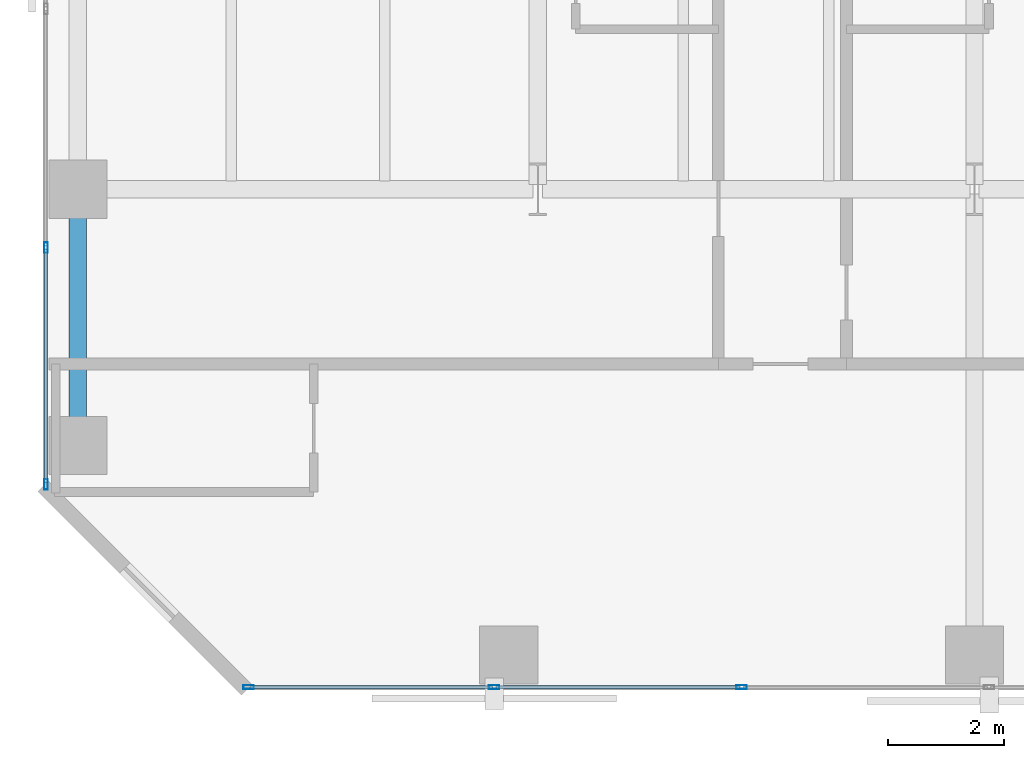
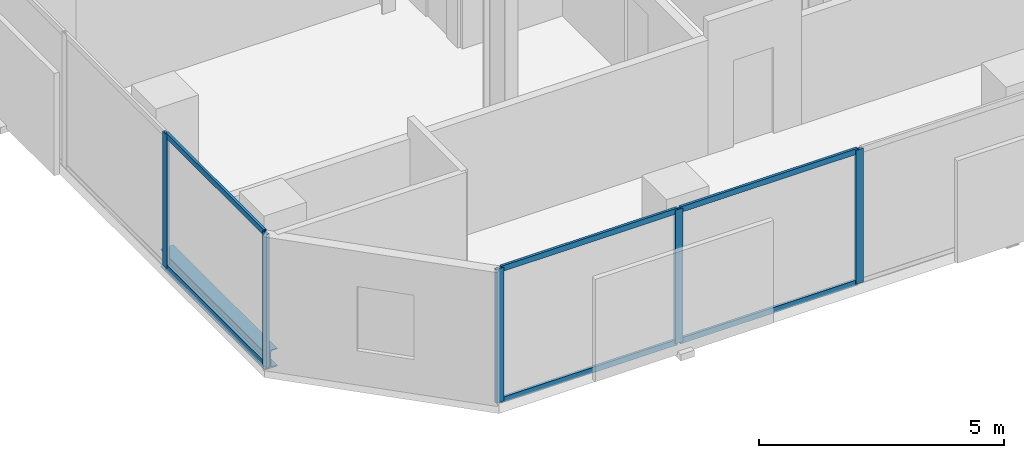
# One storey, part 2 of 32: 11 members, 1 beam, 2 elements without a shape of their own.
"""IFC4 building model written with IfcOpenShell, lengths in metres."""

from ifc_helpers import new_model, si_unit, direction, frame, origin, origin_2d, place, context, subcontext, project, spatial, hollow_rectangle, i_section, extrude, material, layer, layer_set, material_profile, profile_set, type_object, element, aggregate, save


model = new_model("IFC4")

# Units and contexts
model_context = context("Model", 3, precision=1e-05, world=origin(), true_north=direction((0.0, 1.0)))
body_context = subcontext(model_context, "Body", "Model", "MODEL_VIEW")
ifc_project = project(units=[si_unit("LENGTHUNIT", "METRE"), si_unit("AREAUNIT", "SQUARE_METRE"), si_unit("VOLUMEUNIT", "CUBIC_METRE"), si_unit("PLANEANGLEUNIT", "RADIAN"), si_unit("MASSUNIT", "GRAM", prefix="KILO")], contexts=[model_context])

# Site, building, storey
site_placement = place(None, origin())
site = spatial("IfcSite", under=ifc_project, at=site_placement, CompositionType="ELEMENT")
building_placement = place(site_placement, origin())
building = spatial("IfcBuilding", under=site, at=building_placement, Name="Catumbela Crestline Tower", CompositionType="ELEMENT")
storey_placement = place(building_placement, frame((0.0, 0.0, 33.0)))
storey = spatial("IfcBuildingStorey", under=building, at=storey_placement, Name="L07", CompositionType="ELEMENT", Elevation=33.0)

# Curtain wall, members
ifc_material_1 = material(Name="Aluminium alloy AW-6060-T66", Category="aluminium")
ifc_layer = layer(ifc_material_1, 0.18, Name="Aluminium alloy AW-6060-T66")
ifc_layer_set = layer_set([ifc_layer], Name="Aluminium alloy AW-6060-T66")
curtain_wall_type = type_object("IfcCurtainWallType", Name="CWU-Z1", PredefinedType="USERDEFINED", material=ifc_layer_set)
curtain_wall_1_placement = place(storey_placement, origin())
curtain_wall_1 = element("IfcCurtainWall", 1, at=curtain_wall_1_placement, inside=storey, type_object=curtain_wall_type, Name="L07 Unitised Curtain Wall CW-L07-E0S1", ObjectType="UNITISED", PredefinedType="USERDEFINED")
ifc_material_profile_1 = material_profile(ifc_material_1, hollow_rectangle(XDim=0.065, YDim=0.18, WallThickness=0.004, at=origin_2d()), Name="ALU 180x65x4")
ifc_profile_set_1 = profile_set([ifc_material_profile_1], Name="Aluminium alloy AW-6060-T66")
member_type_1 = type_object("IfcMemberType", Name="MUL-180X65", PredefinedType="MULLION", material=ifc_profile_set_1)
member_1_placement = place(storey_placement, frame((3.5325, 0.05, 0.0), z_axis=(0.0, 0.0, 1.0), x_axis=(0.0, 1.0, 0.0)))
member_1 = element("IfcMember", 2, at=member_1_placement, type_object=member_type_1, Name="CWU-Z1 mullion 1", PredefinedType="MULLION", context=body_context, shape_type="SweptSolid", body=[
    extrude(hollow_rectangle(XDim=0.065, YDim=0.18, WallThickness=0.004, at=origin_2d()), origin(), (0.0, 0.0, 1.0), 3.33),
])
member_2_placement = place(storey_placement, frame((7.75, 0.05, 0.0), z_axis=(0.0, 0.0, 1.0), x_axis=(0.0, 1.0, 0.0)))
member_2 = element("IfcMember", 3, at=member_2_placement, type_object=member_type_1, Name="CWU-Z1 mullion 2", PredefinedType="MULLION", context=body_context, shape_type="SweptSolid", body=[
    extrude(hollow_rectangle(XDim=0.065, YDim=0.18, WallThickness=0.004, at=origin_2d()), origin(), (0.0, 0.0, 1.0), 3.33),
])
member_3_placement = place(storey_placement, frame((12.0, 0.05, 0.0), z_axis=(0.0, 0.0, 1.0), x_axis=(0.0, 1.0, 0.0)))
member_3 = element("IfcMember", 4, at=member_3_placement, type_object=member_type_1, Name="CWU-Z1 mullion 3", PredefinedType="MULLION", context=body_context, shape_type="SweptSolid", body=[
    extrude(hollow_rectangle(XDim=0.065, YDim=0.18, WallThickness=0.004, at=origin_2d()), origin(), (0.0, 0.0, 1.0), 3.33),
])

curtain_wall_2_placement = place(storey_placement, origin())
curtain_wall_2 = element("IfcCurtainWall", 5, at=curtain_wall_2_placement, inside=storey, type_object=curtain_wall_type, Name="L07 Unitised Curtain Wall CW-L07-E9S1", ObjectType="UNITISED", PredefinedType="USERDEFINED")
member_4_placement = place(storey_placement, frame((0.05, 7.6, 0.0), z_axis=(0.0, 0.0, 1.0), x_axis=(1.0, 0.0, 0.0)))
member_4 = element("IfcMember", 6, at=member_4_placement, type_object=member_type_1, Name="CWU-Z1 mullion 10", PredefinedType="MULLION", context=body_context, shape_type="SweptSolid", body=[
    extrude(hollow_rectangle(XDim=0.065, YDim=0.18, WallThickness=0.004, at=origin_2d()), origin(), (0.0, 0.0, 1.0), 3.33),
])
member_5_placement = place(storey_placement, frame((0.05, 3.5325, 0.0), z_axis=(0.0, 0.0, 1.0), x_axis=(1.0, 0.0, 0.0)))
member_5 = element("IfcMember", 7, at=member_5_placement, type_object=member_type_1, Name="CWU-Z1 mullion 11", PredefinedType="MULLION", context=body_context, shape_type="SweptSolid", body=[
    extrude(hollow_rectangle(XDim=0.065, YDim=0.18, WallThickness=0.004, at=origin_2d()), origin(), (0.0, 0.0, 1.0), 3.33),
])

# Beam
ifc_material_2 = material(Name="Structural steel S355J2", Category="steel")
ifc_material_profile_2 = material_profile(ifc_material_2, i_section(OverallWidth=0.3, OverallDepth=0.45, WebThickness=0.014, FlangeThickness=0.026, FilletRadius=0.027, at=origin_2d()), Name="HEB 450")
ifc_profile_set_2 = profile_set([ifc_material_profile_2], Name="Structural steel S355J2")
beam_type = type_object("IfcBeamType", Name="BS-HEB450", PredefinedType="SPANDREL", material=ifc_profile_set_2)
beam_placement = place(storey_placement, frame((0.6, 4.28, -0.485), z_axis=(0.0, 1.0, 0.0), x_axis=(-1.0, 0.0, 0.0)))
element("IfcBeam", 8, at=beam_placement, inside=storey, type_object=beam_type, Name="L07 Spandrel SP-L07-WNS57", PredefinedType="SPANDREL", context=body_context, shape_type="SweptSolid", body=[
    extrude(i_section(OverallWidth=0.3, OverallDepth=0.45, WebThickness=0.014, FlangeThickness=0.026, FilletRadius=0.027, at=origin_2d()), origin(), (0.0, 0.0, 1.0), 4.24),
])

# Member
ifc_material_profile_3 = material_profile(ifc_material_1, hollow_rectangle(XDim=0.06, YDim=0.14, WallThickness=0.004, at=origin_2d()), Name="ALU 140x60x4")
ifc_profile_set_3 = profile_set([ifc_material_profile_3], Name="Aluminium alloy AW-6060-T66")
member_type_2 = type_object("IfcMemberType", Name="TRN-140X60", PredefinedType="USERDEFINED", material=ifc_profile_set_3)
member_6_placement = place(storey_placement, frame((3.565, 0.05, 0.03), z_axis=(1.0, 0.0, 0.0), x_axis=(0.0, 1.0, 0.0)))
member_6 = element("IfcMember", 9, at=member_6_placement, type_object=member_type_2, Name="CWU-Z1 transom 1.1", ObjectType="TRANSOM", PredefinedType="USERDEFINED", context=body_context, shape_type="SweptSolid", body=[
    extrude(hollow_rectangle(XDim=0.06, YDim=0.14, WallThickness=0.004, at=origin_2d()), origin(), (0.0, 0.0, 1.0), 4.1525),
])

member_7_placement = place(storey_placement, frame((3.565, 0.05, 3.3), z_axis=(1.0, 0.0, 0.0), x_axis=(0.0, 1.0, 0.0)))
member_7 = element("IfcMember", 10, at=member_7_placement, type_object=member_type_2, Name="CWU-Z1 transom 1.2", ObjectType="TRANSOM", PredefinedType="USERDEFINED", context=body_context, shape_type="SweptSolid", body=[
    extrude(hollow_rectangle(XDim=0.06, YDim=0.14, WallThickness=0.004, at=origin_2d()), origin(), (0.0, 0.0, 1.0), 4.1525),
])

member_8_placement = place(storey_placement, frame((7.7825, 0.05, 0.03), z_axis=(1.0, 0.0, 0.0), x_axis=(0.0, 1.0, 0.0)))
member_8 = element("IfcMember", 11, at=member_8_placement, type_object=member_type_2, Name="CWU-Z1 transom 2.1", ObjectType="TRANSOM", PredefinedType="USERDEFINED", context=body_context, shape_type="SweptSolid", body=[
    extrude(hollow_rectangle(XDim=0.06, YDim=0.14, WallThickness=0.004, at=origin_2d()), origin(), (0.0, 0.0, 1.0), 4.185),
])

member_9_placement = place(storey_placement, frame((7.7825, 0.05, 3.3), z_axis=(1.0, 0.0, 0.0), x_axis=(0.0, 1.0, 0.0)))
member_9 = element("IfcMember", 12, at=member_9_placement, type_object=member_type_2, Name="CWU-Z1 transom 2.2", ObjectType="TRANSOM", PredefinedType="USERDEFINED", context=body_context, shape_type="SweptSolid", body=[
    extrude(hollow_rectangle(XDim=0.06, YDim=0.14, WallThickness=0.004, at=origin_2d()), origin(), (0.0, 0.0, 1.0), 4.185),
])

aggregate(curtain_wall_1, [member_1, member_2, member_3, member_6, member_7, member_8, member_9])

member_10_placement = place(storey_placement, frame((0.05, 7.5675, 0.03), z_axis=(0.0, -1.0, 0.0), x_axis=(1.0, 0.0, 0.0)))
member_10 = element("IfcMember", 13, at=member_10_placement, type_object=member_type_2, Name="CWU-Z1 transom 10.1", ObjectType="TRANSOM", PredefinedType="USERDEFINED", context=body_context, shape_type="SweptSolid", body=[
    extrude(hollow_rectangle(XDim=0.06, YDim=0.14, WallThickness=0.004, at=origin_2d()), origin(), (0.0, 0.0, 1.0), 4.0025),
])

member_11_placement = place(storey_placement, frame((0.05, 7.5675, 3.3), z_axis=(0.0, -1.0, 0.0), x_axis=(1.0, 0.0, 0.0)))
member_11 = element("IfcMember", 14, at=member_11_placement, type_object=member_type_2, Name="CWU-Z1 transom 10.2", ObjectType="TRANSOM", PredefinedType="USERDEFINED", context=body_context, shape_type="SweptSolid", body=[
    extrude(hollow_rectangle(XDim=0.06, YDim=0.14, WallThickness=0.004, at=origin_2d()), origin(), (0.0, 0.0, 1.0), 4.0025),
])

aggregate(curtain_wall_2, [member_4, member_5, member_10, member_11])

save(model, "model.ifc")
